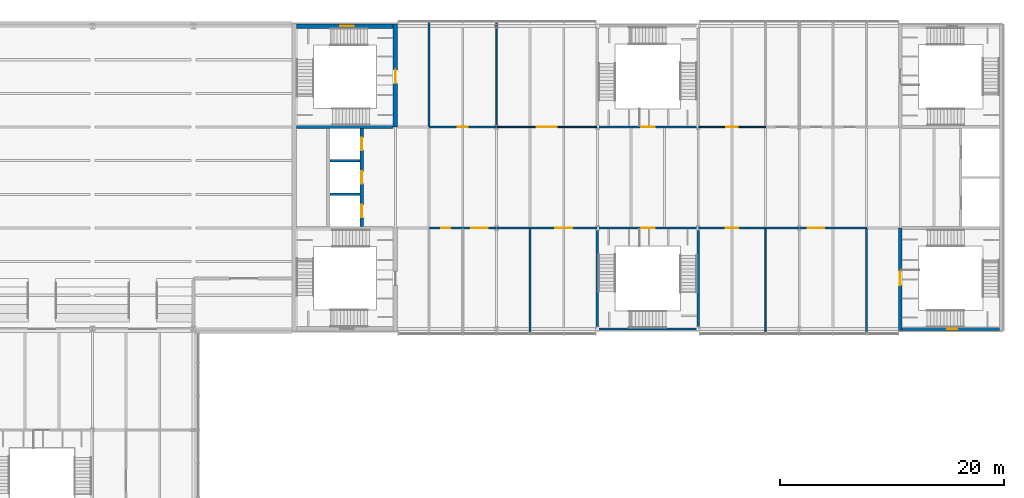
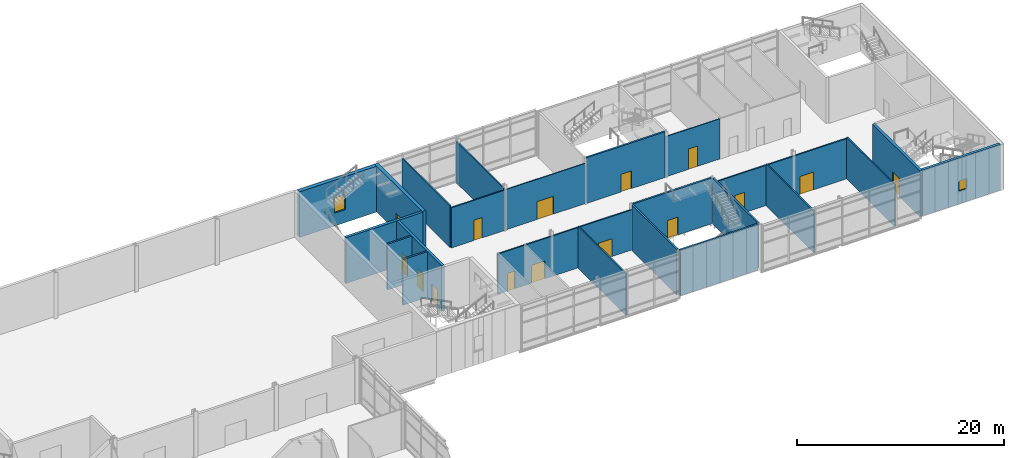
# One storey, part 38 of 52: 23 walls, 15 doors, 2 windows, 17 openings.
"""IFC4 building model written with IfcOpenShell, lengths in metres."""

from ifc_helpers import new_model, si_unit, direction, frame, frame_2d, origin, place, context, subcontext, project, spatial, rectangle, extrude, material, layer, layer_set, type_object, element, fill, save


model = new_model("IFC4")

# Units and contexts
model_context = context("Model", 3, precision=1e-05, world=origin(), true_north=direction((0.0, 1.0)))
body_context = subcontext(model_context, "Body", "Model", "MODEL_VIEW")
ifc_project = project(units=[si_unit("LENGTHUNIT", "METRE"), si_unit("AREAUNIT", "SQUARE_METRE"), si_unit("VOLUMEUNIT", "CUBIC_METRE"), si_unit("PLANEANGLEUNIT", "RADIAN"), si_unit("MASSUNIT", "GRAM", prefix="KILO")], contexts=[model_context])

# Site, building, storey
site_placement = place(None, origin())
site = spatial("IfcSite", under=ifc_project, at=site_placement, CompositionType="ELEMENT")
building_placement = place(site_placement, origin())
building = spatial("IfcBuilding", under=site, at=building_placement, Name="Azimuth Sports and Learning Centre", CompositionType="ELEMENT")
storey_placement = place(building_placement, frame((0.0, 0.0, 16.199951171875)))
storey = spatial("IfcBuildingStorey", under=building, at=storey_placement, Name="L03", CompositionType="ELEMENT", Elevation=16.199951171875)

# Walls
ifc_material_1 = material(Name="Dense masonry blockwork", Category="masonry")
ifc_layer_1 = layer(ifc_material_1, 0.199951171875)
ifc_layer_set_1 = layer_set([ifc_layer_1], Name="Dense masonry blockwork")
wall_type_1 = type_object("IfcWallType", Name="Blockwork wall 200 EI 120", PredefinedType="SOLIDWALL", material=ifc_layer_set_1)
for number, where, z_axis, x_axis, name in (
    (1, (111.14990234375, 102.0, 0.0), (0.0, 0.0, 1.0), (1.0, 0.0, 0.0), "SD-E-1-L03"),
    (2, (111.14990234375, 105.0, 0.0), (0.0, 0.0, 1.0), (1.0, 0.0, 0.0), "SD-E-2-L03"),
):
    element("IfcWall", number, at=place(storey_placement, frame(where, z_axis=z_axis, x_axis=x_axis)), inside=storey, type_object=wall_type_1, Name=name, PredefinedType="SOLIDWALL", context=body_context, shape_type="SweptSolid", body=[
        extrude(rectangle(XDim=2.7001953125, YDim=0.199951171875, at=frame_2d((1.35009765625, 0.0))), origin(), (0.0, 0.0, 1.0), 5.400146484375),
    ])

# Wall, opening, door
ifc_material_2 = material(Name="Gypsum board on steel studs", Category="steel")
ifc_layer_2 = layer(ifc_material_2, 0.10009765625)
ifc_layer_set_2 = layer_set([ifc_layer_2], Name="Gypsum board on steel studs")
wall_type_2 = type_object("IfcWallType", Name="Partition 100 EI 30", PredefinedType="PARTITIONING", material=ifc_layer_set_2)
wall_1_placement = place(storey_placement, frame((126.0, 108.0, 0.0), z_axis=(0.0, 0.0, 1.0), x_axis=(1.0, 0.0, 0.0)))
wall_1 = element("IfcWall", 3, at=wall_1_placement, inside=storey, type_object=wall_type_2, Name="Partition 100 EI 30", PredefinedType="PARTITIONING", context=body_context, shape_type="SweptSolid", body=[
    extrude(rectangle(XDim=9.0, YDim=0.10009765625, at=frame_2d((4.5, 0.0))), origin(), (0.0, 0.0, 1.0), 4.75),
])
opening_1_placement = place(wall_1_placement, frame((3.60009765625, 0.0, 0.0)))
opening_1 = element("IfcOpeningElement", 4, at=opening_1_placement, cuts=wall_1, Name="Opening D03-051", PredefinedType="OPENING", context=body_context, shape_type="SweptSolid", body=[
    extrude(rectangle(XDim=1.800048828125, YDim=2.10009765625, at=frame_2d((0.89990234375, 1.050048828125))), frame((0.0, 0.06103515625, 0.0), z_axis=(0.0, -1.0, 0.0), x_axis=(1.0, 0.0, 0.0)), (0.0, 0.0, 1.0), 0.1220703125),
])
ifc_material_3 = material(Name="Timber fire door set", Category="wood")
door_type_1 = type_object("IfcDoorType", Name="Timber door double 1800x2100 FD30S", OperationType="DOUBLE_DOOR_SINGLE_SWING", PredefinedType="DOOR", material=ifc_material_3)
door_1_placement = place(opening_1_placement, origin())
door_1 = element("IfcDoor", 5, at=door_1_placement, inside=storey, type_object=door_type_1, Name="Door D03-051", OperationType="DOUBLE_DOOR_SINGLE_SWING", OverallHeight=2.10009765625, OverallWidth=1.800048828125, PredefinedType="DOOR", context=body_context, shape_type="SweptSolid", body=[
    extrude(rectangle(XDim=1.800048828125, YDim=2.10009765625, at=frame_2d((0.89990234375, 1.050048828125))), frame((0.0, 0.02490234375, 0.0), z_axis=(0.0, -1.0, 0.0), x_axis=(1.0, 0.0, 0.0)), (0.0, 0.0, 1.0), 0.050048828125),
])
fill(opening_1, door_1)

wall_2_placement = place(storey_placement, frame((144.0, 108.0, 0.0), z_axis=(0.0, 0.0, 1.0), x_axis=(1.0, 0.0, 0.0)))
wall_2 = element("IfcWall", 6, at=wall_2_placement, inside=storey, type_object=wall_type_2, Name="Partition 100 EI 30", PredefinedType="PARTITIONING", context=body_context, shape_type="SweptSolid", body=[
    extrude(rectangle(XDim=6.0, YDim=0.10009765625, at=frame_2d((3.0, 0.0))), origin(), (0.0, 0.0, 1.0), 4.75),
])
opening_2_placement = place(wall_2_placement, frame((2.5, 0.0, 0.0)))
opening_2 = element("IfcOpeningElement", 7, at=opening_2_placement, cuts=wall_2, Name="Opening D03-050", PredefinedType="OPENING", context=body_context, shape_type="SweptSolid", body=[
    extrude(rectangle(XDim=1.0, YDim=2.39990234375, at=frame_2d((0.5, 1.199951171875))), frame((0.0, 0.06103515625, 0.0), z_axis=(0.0, -1.0, 0.0), x_axis=(1.0, 0.0, 0.0)), (0.0, 0.0, 1.0), 0.1220703125),
])
ifc_material_4 = material(Name="Timber fire door set", Category="wood")
door_type_2 = type_object("IfcDoorType", Name="Timber door single 1000x2400 FD30S", OperationType="NOTDEFINED", PredefinedType="DOOR", material=ifc_material_4)
door_2_placement = place(opening_2_placement, origin())
door_2 = element("IfcDoor", 8, at=door_2_placement, inside=storey, type_object=door_type_2, Name="Door D03-050", OperationType="SINGLE_SWING_LEFT", OverallHeight=2.39990234375, OverallWidth=1.0, PredefinedType="DOOR", context=body_context, shape_type="SweptSolid", body=[
    extrude(rectangle(XDim=1.0, YDim=2.39990234375, at=frame_2d((0.5, 1.199951171875))), frame((0.0, 0.02490234375, 0.0), z_axis=(0.0, -1.0, 0.0), x_axis=(1.0, 0.0, 0.0)), (0.0, 0.0, 1.0), 0.050048828125),
])
fill(opening_2, door_2)

# Wall, openings, doors
ifc_material_5 = material(Name="Lightweight blockwork, rendered", Category="masonry")
ifc_layer_3 = layer(ifc_material_5, 0.14990234375)
ifc_layer_set_3 = layer_set([ifc_layer_3], Name="Lightweight blockwork, rendered")
wall_type_3 = type_object("IfcWallType", Name="Partition 150 EI 60", PredefinedType="PARTITIONING", material=ifc_layer_set_3)
wall_3_placement = place(storey_placement, frame((120.0, 99.0, 0.0), z_axis=(0.0, 0.0, 1.0), x_axis=(1.0, 0.0, 0.0)))
wall_3 = element("IfcWall", 9, at=wall_3_placement, inside=storey, type_object=wall_type_3, Name="Partition 150 EI 60", PredefinedType="PARTITIONING", context=body_context, shape_type="SweptSolid", body=[
    extrude(rectangle(XDim=15.0, YDim=0.14990234375, at=frame_2d((7.5, 0.0))), origin(), (0.0, 0.0, 1.0), 4.75),
])
opening_3_placement = place(wall_3_placement, frame((11.25, 0.0, 0.0)))
opening_3 = element("IfcOpeningElement", 10, at=opening_3_placement, cuts=wall_3, Name="Opening D03-044", PredefinedType="OPENING", context=body_context, shape_type="SweptSolid", body=[
    extrude(rectangle(XDim=1.5, YDim=2.10009765625, at=frame_2d((0.75, 1.050048828125))), frame((0.0, 0.0859375, 0.0), z_axis=(0.0, -1.0, 0.0), x_axis=(1.0, 0.0, 0.0)), (0.0, 0.0, 1.0), 0.171875),
])
opening_4_placement = place(wall_3_placement, frame((3.75, 0.0, 0.0)))
opening_4 = element("IfcOpeningElement", 11, at=opening_4_placement, cuts=wall_3, Name="Opening D03-045", PredefinedType="OPENING", context=body_context, shape_type="SweptSolid", body=[
    extrude(rectangle(XDim=1.5, YDim=2.10009765625, at=frame_2d((0.75, 1.050048828125))), frame((0.0, 0.0859375, 0.0), z_axis=(0.0, -1.0, 0.0), x_axis=(1.0, 0.0, 0.0)), (0.0, 0.0, 1.0), 0.171875),
])
opening_5_placement = place(wall_3_placement, frame((1.10009765625, 0.0, 0.0)))
opening_5 = element("IfcOpeningElement", 12, at=opening_5_placement, cuts=wall_3, Name="Opening D03-046", PredefinedType="OPENING", context=body_context, shape_type="SweptSolid", body=[
    extrude(rectangle(XDim=0.800048828125, YDim=2.10009765625, at=frame_2d((0.39990234375, 1.050048828125))), frame((0.0, 0.0859375, 0.0), z_axis=(0.0, -1.0, 0.0), x_axis=(1.0, 0.0, 0.0)), (0.0, 0.0, 1.0), 0.171875),
])
ifc_material_6 = material(Name="Timber fire door set", Category="wood")
door_type_3 = type_object("IfcDoorType", Name="Timber door double 1500x2100 FD60", OperationType="DOUBLE_DOOR_SINGLE_SWING", PredefinedType="DOOR", material=ifc_material_6)
door_3_placement = place(opening_3_placement, frame((1.5, 0.0, 0.0), z_axis=(0.0, 0.0, 1.0), x_axis=(-1.0, 0.0, 0.0)))
door_3 = element("IfcDoor", 13, at=door_3_placement, inside=storey, type_object=door_type_3, Name="Door D03-044", OperationType="DOUBLE_DOOR_SINGLE_SWING", OverallHeight=2.10009765625, OverallWidth=1.5, PredefinedType="DOOR", context=body_context, shape_type="SweptSolid", body=[
    extrude(rectangle(XDim=1.5, YDim=2.10009765625, at=frame_2d((0.75, 1.050048828125))), frame((0.0, 0.02490234375, 0.0), z_axis=(0.0, -1.0, 0.0), x_axis=(1.0, 0.0, 0.0)), (0.0, 0.0, 1.0), 0.050048828125),
])
fill(opening_3, door_3)
door_4_placement = place(opening_4_placement, frame((1.5, 0.0, 0.0), z_axis=(0.0, 0.0, 1.0), x_axis=(-1.0, 0.0, 0.0)))
door_4 = element("IfcDoor", 14, at=door_4_placement, inside=storey, type_object=door_type_3, Name="Door D03-045", OperationType="DOUBLE_DOOR_SINGLE_SWING", OverallHeight=2.10009765625, OverallWidth=1.5, PredefinedType="DOOR", context=body_context, shape_type="SweptSolid", body=[
    extrude(rectangle(XDim=1.5, YDim=2.10009765625, at=frame_2d((0.75, 1.050048828125))), frame((0.0, 0.02490234375, 0.0), z_axis=(0.0, -1.0, 0.0), x_axis=(1.0, 0.0, 0.0)), (0.0, 0.0, 1.0), 0.050048828125),
])
fill(opening_4, door_4)
ifc_material_7 = material(Name="Timber fire door set", Category="wood")
door_type_4 = type_object("IfcDoorType", Name="Timber door single 800x2100 FD60", OperationType="NOTDEFINED", PredefinedType="DOOR", material=ifc_material_7)
door_5_placement = place(opening_5_placement, frame((0.800048828125, 0.0, 0.0), z_axis=(0.0, 0.0, 1.0), x_axis=(-1.0, 0.0, 0.0)))
door_5 = element("IfcDoor", 15, at=door_5_placement, inside=storey, type_object=door_type_4, Name="Door D03-046", OperationType="SINGLE_SWING_LEFT", OverallHeight=2.10009765625, OverallWidth=0.800048828125, PredefinedType="DOOR", context=body_context, shape_type="SweptSolid", body=[
    extrude(rectangle(XDim=0.800048828125, YDim=2.10009765625, at=frame_2d((0.39990234375, 1.050048828125))), frame((0.0, 0.02490234375, 0.0), z_axis=(0.0, -1.0, 0.0), x_axis=(1.0, 0.0, 0.0)), (0.0, 0.0, 1.0), 0.050048828125),
])
fill(opening_5, door_5)

wall_4_placement = place(storey_placement, frame((144.0, 99.0, 0.0), z_axis=(0.0, 0.0, 1.0), x_axis=(1.0, 0.0, 0.0)))
wall_4 = element("IfcWall", 16, at=wall_4_placement, inside=storey, type_object=wall_type_3, Name="Partition 150 EI 60", PredefinedType="PARTITIONING", context=body_context, shape_type="SweptSolid", body=[
    extrude(rectangle(XDim=15.0, YDim=0.14990234375, at=frame_2d((7.5, 0.0))), origin(), (0.0, 0.0, 1.0), 4.75),
])
opening_6_placement = place(wall_4_placement, frame((9.75, 0.0, 0.0)))
opening_6 = element("IfcOpeningElement", 17, at=opening_6_placement, cuts=wall_4, Name="Opening D03-042", PredefinedType="OPENING", context=body_context, shape_type="SweptSolid", body=[
    extrude(rectangle(XDim=1.5, YDim=2.10009765625, at=frame_2d((0.75, 1.050048828125))), frame((0.0, 0.0859375, 0.0), z_axis=(0.0, -1.0, 0.0), x_axis=(1.0, 0.0, 0.0)), (0.0, 0.0, 1.0), 0.171875),
])
opening_7_placement = place(wall_4_placement, frame((2.449951171875, 0.0, 0.0)))
opening_7 = element("IfcOpeningElement", 18, at=opening_7_placement, cuts=wall_4, Name="Opening D03-043", PredefinedType="OPENING", context=body_context, shape_type="SweptSolid", body=[
    extrude(rectangle(XDim=1.10009765625, YDim=2.39990234375, at=frame_2d((0.550048828125, 1.199951171875))), frame((0.0, 0.0859375, 0.0), z_axis=(0.0, -1.0, 0.0), x_axis=(1.0, 0.0, 0.0)), (0.0, 0.0, 1.0), 0.171875),
])
door_6_placement = place(opening_6_placement, frame((1.5, 0.0, 0.0), z_axis=(0.0, 0.0, 1.0), x_axis=(-1.0, 0.0, 0.0)))
door_6 = element("IfcDoor", 19, at=door_6_placement, inside=storey, type_object=door_type_3, Name="Door D03-042", OperationType="DOUBLE_DOOR_SINGLE_SWING", OverallHeight=2.10009765625, OverallWidth=1.5, PredefinedType="DOOR", context=body_context, shape_type="SweptSolid", body=[
    extrude(rectangle(XDim=1.5, YDim=2.10009765625, at=frame_2d((0.75, 1.050048828125))), frame((0.0, 0.02490234375, 0.0), z_axis=(0.0, -1.0, 0.0), x_axis=(1.0, 0.0, 0.0)), (0.0, 0.0, 1.0), 0.050048828125),
])
fill(opening_6, door_6)
ifc_material_8 = material(Name="Timber fire door set", Category="wood")
door_type_5 = type_object("IfcDoorType", Name="Timber door single 1100x2400 FD60", OperationType="NOTDEFINED", PredefinedType="DOOR", material=ifc_material_8)
door_7_placement = place(opening_7_placement, frame((1.10009765625, 0.0, 0.0), z_axis=(0.0, 0.0, 1.0), x_axis=(-1.0, 0.0, 0.0)))
door_7 = element("IfcDoor", 20, at=door_7_placement, inside=storey, type_object=door_type_5, Name="Door D03-043", OperationType="SINGLE_SWING_LEFT", OverallHeight=2.39990234375, OverallWidth=1.10009765625, PredefinedType="DOOR", context=body_context, shape_type="SweptSolid", body=[
    extrude(rectangle(XDim=1.10009765625, YDim=2.39990234375, at=frame_2d((0.550048828125, 1.199951171875))), frame((0.0, 0.02490234375, 0.0), z_axis=(0.0, -1.0, 0.0), x_axis=(1.0, 0.0, 0.0)), (0.0, 0.0, 1.0), 0.050048828125),
])
fill(opening_7, door_7)

# Wall, opening, door
wall_5_placement = place(storey_placement, frame((120.0, 108.0, 0.0), z_axis=(0.0, 0.0, 1.0), x_axis=(1.0, 0.0, 0.0)))
wall_5 = element("IfcWall", 21, at=wall_5_placement, inside=storey, type_object=wall_type_3, Name="Partition 150 EI 60", PredefinedType="PARTITIONING", context=body_context, shape_type="SweptSolid", body=[
    extrude(rectangle(XDim=6.0, YDim=0.14990234375, at=frame_2d((3.0, 0.0))), origin(), (0.0, 0.0, 1.0), 4.75),
])
opening_8_placement = place(wall_5_placement, frame((2.550048828125, 0.0, 0.0)))
opening_8 = element("IfcOpeningElement", 22, at=opening_8_placement, cuts=wall_5, Name="Opening D03-052", PredefinedType="OPENING", context=body_context, shape_type="SweptSolid", body=[
    extrude(rectangle(XDim=0.89990234375, YDim=2.39990234375, at=frame_2d((0.449951171875, 1.199951171875))), frame((0.0, 0.0859375, 0.0), z_axis=(0.0, -1.0, 0.0), x_axis=(1.0, 0.0, 0.0)), (0.0, 0.0, 1.0), 0.171875),
])
ifc_material_9 = material(Name="Timber fire door set", Category="wood")
door_type_6 = type_object("IfcDoorType", Name="Timber door single 900x2400 FD60", OperationType="NOTDEFINED", PredefinedType="DOOR", material=ifc_material_9)
door_8_placement = place(opening_8_placement, origin())
door_8 = element("IfcDoor", 23, at=door_8_placement, inside=storey, type_object=door_type_6, Name="Door D03-052", OperationType="SINGLE_SWING_LEFT", OverallHeight=2.39990234375, OverallWidth=0.89990234375, PredefinedType="DOOR", context=body_context, shape_type="SweptSolid", body=[
    extrude(rectangle(XDim=0.89990234375, YDim=2.39990234375, at=frame_2d((0.449951171875, 1.199951171875))), frame((0.0, 0.02490234375, 0.0), z_axis=(0.0, -1.0, 0.0), x_axis=(1.0, 0.0, 0.0)), (0.0, 0.0, 1.0), 0.050048828125),
])
fill(opening_8, door_8)

# Walls
wall_6_placement = place(storey_placement, frame((120.0, 108.074951171875, 0.0), z_axis=(0.0, 0.0, 1.0), x_axis=(0.0, 1.0, 0.0)))
element("IfcWall", 24, at=wall_6_placement, inside=storey, type_object=wall_type_3, Name="Partition 150 EI 60", PredefinedType="PARTITIONING", context=body_context, shape_type="SweptSolid", body=[
    extrude(rectangle(XDim=9.22509765625, YDim=0.14990234375, at=frame_2d((4.612548828125, 0.0))), origin(), (0.0, 0.0, 1.0), 4.920166015625),
])
wall_7_placement = place(storey_placement, frame((126.0, 108.074951171875, 0.0), z_axis=(0.0, 0.0, 1.0), x_axis=(0.0, 1.0, 0.0)))
element("IfcWall", 25, at=wall_7_placement, inside=storey, type_object=wall_type_3, Name="Partition 150 EI 60", PredefinedType="PARTITIONING", context=body_context, shape_type="SweptSolid", body=[
    extrude(rectangle(XDim=9.22509765625, YDim=0.14990234375, at=frame_2d((4.612548828125, 0.0))), origin(), (0.0, 0.0, 1.0), 4.89013671875),
])
for number, where, z_axis, x_axis, name in (
    (26, (129.0, 89.699951171875, 0.0), (0.0, 0.0, 1.0), (0.0, 1.0, 0.0), "Partition 150 EI 60"),
    (27, (150.0, 89.699951171875, 0.0), (0.0, 0.0, 1.0), (0.0, 1.0, 0.0), "Partition 150 EI 60"),
    (28, (159.0, 89.699951171875, 0.0), (0.0, 0.0, 1.0), (0.0, 1.0, 0.0), "Partition 150 EI 60"),
):
    element("IfcWall", number, at=place(storey_placement, frame(where, z_axis=z_axis, x_axis=x_axis)), inside=storey, type_object=wall_type_3, Name=name, PredefinedType="PARTITIONING", context=body_context, shape_type="SweptSolid", body=[
        extrude(rectangle(XDim=9.22509765625, YDim=0.14990234375, at=frame_2d((4.612548828125, 0.0))), origin(), (0.0, 0.0, 1.0), 4.920166015625),
    ])

# Wall, opening, door
ifc_material_10 = material(Name="Concrete C40/50", Category="concrete")
ifc_layer_4 = layer(ifc_material_10, 0.199951171875)
ifc_layer_set_4 = layer_set([ifc_layer_4], Name="Concrete C40/50")
wall_type_4 = type_object("IfcWallType", Name="RC cell wall 200 EI 120", PredefinedType="SHEAR", material=ifc_layer_set_4)
wall_8_placement = place(storey_placement, frame((135.14990234375, 99.0, 0.0), z_axis=(0.0, 0.0, 1.0), x_axis=(1.0, 0.0, 0.0)))
wall_8 = element("IfcWall", 29, at=wall_8_placement, inside=storey, type_object=wall_type_4, Name="CE-EM1-N-L03", PredefinedType="SHEAR", context=body_context, shape_type="SweptSolid", body=[
    extrude(rectangle(XDim=8.7001953125, YDim=0.199951171875, at=frame_2d((4.35009765625, 0.0))), origin(), (0.0, 0.0, 1.0), 5.400146484375),
])
opening_9_placement = place(wall_8_placement, frame((3.75, 0.0, 0.0)))
opening_9 = element("IfcOpeningElement", 30, at=opening_9_placement, cuts=wall_8, Name="Opening D03-011", PredefinedType="OPENING", context=body_context, shape_type="SweptSolid", body=[
    extrude(rectangle(XDim=1.199951171875, YDim=2.10009765625, at=frame_2d((0.60009765625, 1.050048828125))), frame((0.0, 0.11083984375, 0.0), z_axis=(0.0, -1.0, 0.0), x_axis=(1.0, 0.0, 0.0)), (0.0, 0.0, 1.0), 0.221923828125),
])
ifc_material_11 = material(Name="Steel", Category="steel")
door_type_7 = type_object("IfcDoorType", Name="Stair fire door 1200 x 2100", OperationType="NOTDEFINED", PredefinedType="DOOR", material=ifc_material_11)
door_9_placement = place(opening_9_placement, origin())
door_9 = element("IfcDoor", 31, at=door_9_placement, inside=storey, type_object=door_type_7, Name="Stair door EM1 L03", OperationType="SINGLE_SWING_RIGHT", OverallHeight=2.10009765625, OverallWidth=1.199951171875, PredefinedType="DOOR", context=body_context, shape_type="SweptSolid", body=[
    extrude(rectangle(XDim=1.199951171875, YDim=2.10009765625, at=frame_2d((0.60009765625, 1.050048828125))), frame((0.0, 0.02490234375, 0.0), z_axis=(0.0, -1.0, 0.0), x_axis=(1.0, 0.0, 0.0)), (0.0, 0.0, 1.0), 0.050048828125),
])
fill(opening_9, door_9)

# Walls
for number, where, z_axis, x_axis, name in (
    (32, (135.0, 90.179931640625, 0.0), (0.0, 0.0, 1.0), (0.0, 1.0, 0.0), "CE-EM1-W-L03"),
    (33, (144.0, 90.179931640625, 0.0), (0.0, 0.0, 1.0), (0.0, 1.0, 0.0), "CE-EM1-E-L03"),
):
    element("IfcWall", number, at=place(storey_placement, frame(where, z_axis=z_axis, x_axis=x_axis)), inside=storey, type_object=wall_type_4, Name=name, PredefinedType="SHEAR", context=body_context, shape_type="SweptSolid", body=[
        extrude(rectangle(XDim=8.64013671875, YDim=0.199951171875, at=frame_2d((4.320068359375, 0.0))), origin(), (0.0, 0.0, 1.0), 5.400146484375),
    ])

# Wall, opening, door
wall_9_placement = place(storey_placement, frame((135.14990234375, 108.0, 0.0), z_axis=(0.0, 0.0, 1.0), x_axis=(1.0, 0.0, 0.0)))
wall_9 = element("IfcWall", 34, at=wall_9_placement, inside=storey, type_object=wall_type_4, Name="CE-EM2-S-L03", PredefinedType="SHEAR", context=body_context, shape_type="SweptSolid", body=[
    extrude(rectangle(XDim=8.7001953125, YDim=0.199951171875, at=frame_2d((4.35009765625, 0.0))), origin(), (0.0, 0.0, 1.0), 5.400146484375),
])
opening_10_placement = place(wall_9_placement, frame((3.75, 0.0, 0.0)))
opening_10 = element("IfcOpeningElement", 35, at=opening_10_placement, cuts=wall_9, Name="Opening D03-012", PredefinedType="OPENING", context=body_context, shape_type="SweptSolid", body=[
    extrude(rectangle(XDim=1.199951171875, YDim=2.10009765625, at=frame_2d((0.60009765625, 1.050048828125))), frame((0.0, 0.11083984375, 0.0), z_axis=(0.0, -1.0, 0.0), x_axis=(1.0, 0.0, 0.0)), (0.0, 0.0, 1.0), 0.221923828125),
])
door_10_placement = place(opening_10_placement, frame((1.199951171875, 0.0, 0.0), z_axis=(0.0, 0.0, 1.0), x_axis=(-1.0, 0.0, 0.0)))
door_10 = element("IfcDoor", 36, at=door_10_placement, inside=storey, type_object=door_type_7, Name="Stair door EM2 L03", OperationType="SINGLE_SWING_LEFT", OverallHeight=2.10009765625, OverallWidth=1.199951171875, PredefinedType="DOOR", context=body_context, shape_type="SweptSolid", body=[
    extrude(rectangle(XDim=1.199951171875, YDim=2.10009765625, at=frame_2d((0.60009765625, 1.050048828125))), frame((0.0, 0.02490234375, 0.0), z_axis=(0.0, -1.0, 0.0), x_axis=(1.0, 0.0, 0.0)), (0.0, 0.0, 1.0), 0.050048828125),
])
fill(opening_10, door_10)

# Wall
ifc_material_12 = material(Name="Concrete C40/50", Category="concrete")
ifc_layer_5 = layer(ifc_material_12, 0.300048828125)
ifc_layer_set_5 = layer_set([ifc_layer_5], Name="Concrete C40/50")
wall_type_5 = type_object("IfcWallType", Name="RC core wall 300", PredefinedType="SHEAR", material=ifc_layer_set_5)
wall_10_placement = place(storey_placement, frame((108.199951171875, 108.0, 0.0), z_axis=(0.0, 0.0, 1.0), x_axis=(1.0, 0.0, 0.0)))
element("IfcWall", 37, at=wall_10_placement, inside=storey, type_object=wall_type_5, Name="Core wall E D2 L03", PredefinedType="SHEAR", context=body_context, shape_type="SweptSolid", body=[
    extrude(rectangle(XDim=8.60009765625, YDim=0.300048828125, at=frame_2d((4.300048828125, 0.0))), origin(), (0.0, 0.0, 1.0), 5.400146484375),
])

# Wall, openings, doors
wall_11_placement = place(storey_placement, frame((114.0, 99.14990234375, 0.0), z_axis=(0.0, 0.0, 1.0), x_axis=(0.0, 1.0, 0.0)))
wall_11 = element("IfcWall", 38, at=wall_11_placement, inside=storey, type_object=wall_type_5, Name="Core wall E LB2 L03", PredefinedType="SHEAR", context=body_context, shape_type="SweptSolid", body=[
    extrude(rectangle(XDim=8.7001953125, YDim=0.300048828125, at=frame_2d((4.35009765625, 0.0))), origin(), (0.0, 0.0, 1.0), 5.400146484375),
])
opening_11_placement = place(wall_11_placement, frame((0.800048828125, 0.0, 0.0)))
opening_11 = element("IfcOpeningElement", 39, at=opening_11_placement, cuts=wall_11, Name="Opening D03-022", PredefinedType="OPENING", context=body_context, shape_type="SweptSolid", body=[
    extrude(rectangle(XDim=1.10009765625, YDim=2.10009765625, at=frame_2d((0.550048828125, 1.050048828125))), frame((0.0, 0.1611328125, 0.0), z_axis=(0.0, -1.0, 0.0), x_axis=(1.0, 0.0, 0.0)), (0.0, 0.0, 1.0), 0.322021484375),
])
opening_12_placement = place(wall_11_placement, frame((3.800048828125, 0.0, 0.0)))
opening_12 = element("IfcOpeningElement", 40, at=opening_12_placement, cuts=wall_11, Name="Opening D03-023", PredefinedType="OPENING", context=body_context, shape_type="SweptSolid", body=[
    extrude(rectangle(XDim=1.10009765625, YDim=2.10009765625, at=frame_2d((0.550048828125, 1.050048828125))), frame((0.0, 0.1611328125, 0.0), z_axis=(0.0, -1.0, 0.0), x_axis=(1.0, 0.0, 0.0)), (0.0, 0.0, 1.0), 0.322021484375),
])
opening_13_placement = place(wall_11_placement, frame((6.800048828125, 0.0, 0.0)))
opening_13 = element("IfcOpeningElement", 41, at=opening_13_placement, cuts=wall_11, Name="Opening D03-024", PredefinedType="OPENING", context=body_context, shape_type="SweptSolid", body=[
    extrude(rectangle(XDim=1.10009765625, YDim=2.10009765625, at=frame_2d((0.550048828125, 1.050048828125))), frame((0.0, 0.1611328125, 0.0), z_axis=(0.0, -1.0, 0.0), x_axis=(1.0, 0.0, 0.0)), (0.0, 0.0, 1.0), 0.322021484375),
])
ifc_material_13 = material(Name="Stainless steel", Category="steel")
door_type_8 = type_object("IfcDoorType", Name="Lift landing door 1100 x 2100", OperationType="DOUBLE_DOOR_SLIDING", PredefinedType="DOOR", material=ifc_material_13)
door_11_placement = place(opening_11_placement, origin())
door_11 = element("IfcDoor", 42, at=door_11_placement, inside=storey, type_object=door_type_8, Name="Landing door LE1 L03", OperationType="DOUBLE_DOOR_SLIDING", OverallHeight=2.10009765625, OverallWidth=1.10009765625, PredefinedType="DOOR", context=body_context, shape_type="SweptSolid", body=[
    extrude(rectangle(XDim=1.10009765625, YDim=2.10009765625, at=frame_2d((0.550048828125, 1.050048828125))), frame((0.0, 0.02490234375, 0.0), z_axis=(0.0, -1.0, 0.0), x_axis=(1.0, 0.0, 0.0)), (0.0, 0.0, 1.0), 0.050048828125),
])
fill(opening_11, door_11)
door_12_placement = place(opening_12_placement, origin())
door_12 = element("IfcDoor", 43, at=door_12_placement, inside=storey, type_object=door_type_8, Name="Landing door LE2 L03", OperationType="DOUBLE_DOOR_SLIDING", OverallHeight=2.10009765625, OverallWidth=1.10009765625, PredefinedType="DOOR", context=body_context, shape_type="SweptSolid", body=[
    extrude(rectangle(XDim=1.10009765625, YDim=2.10009765625, at=frame_2d((0.550048828125, 1.050048828125))), frame((0.0, 0.02490234375, 0.0), z_axis=(0.0, -1.0, 0.0), x_axis=(1.0, 0.0, 0.0)), (0.0, 0.0, 1.0), 0.050048828125),
])
fill(opening_12, door_12)
door_13_placement = place(opening_13_placement, origin())
door_13 = element("IfcDoor", 44, at=door_13_placement, inside=storey, type_object=door_type_8, Name="Landing door LE3 L03", OperationType="DOUBLE_DOOR_SLIDING", OverallHeight=2.10009765625, OverallWidth=1.10009765625, PredefinedType="DOOR", context=body_context, shape_type="SweptSolid", body=[
    extrude(rectangle(XDim=1.10009765625, YDim=2.10009765625, at=frame_2d((0.550048828125, 1.050048828125))), frame((0.0, 0.02490234375, 0.0), z_axis=(0.0, -1.0, 0.0), x_axis=(1.0, 0.0, 0.0)), (0.0, 0.0, 1.0), 0.050048828125),
])
fill(opening_13, door_13)

# Wall, opening, door
wall_12_placement = place(storey_placement, frame((162.0, 89.85009765625, 0.0), z_axis=(0.0, 0.0, 1.0), x_axis=(0.0, 1.0, 0.0)))
wall_12 = element("IfcWall", 45, at=wall_12_placement, inside=storey, type_object=wall_type_5, Name="Core wall EW WS L03", PredefinedType="SHEAR", context=body_context, shape_type="SweptSolid", body=[
    extrude(rectangle(XDim=9.14990234375, YDim=0.300048828125, at=frame_2d((4.574951171875, 0.0))), origin(), (0.0, 0.0, 1.0), 5.400146484375),
])
opening_14_placement = place(wall_12_placement, frame((4.050048828125, 0.0, 0.0)))
opening_14 = element("IfcOpeningElement", 46, at=opening_14_placement, cuts=wall_12, Name="Opening D03-007", PredefinedType="OPENING", context=body_context, shape_type="SweptSolid", body=[
    extrude(rectangle(XDim=1.199951171875, YDim=2.10009765625, at=frame_2d((0.60009765625, 1.050048828125))), frame((0.0, 0.1611328125, 0.0), z_axis=(0.0, -1.0, 0.0), x_axis=(1.0, 0.0, 0.0)), (0.0, 0.0, 1.0), 0.322021484375),
])
door_14_placement = place(opening_14_placement, origin())
door_14 = element("IfcDoor", 47, at=door_14_placement, inside=storey, type_object=door_type_7, Name="Stair door EW1 L03", OperationType="SINGLE_SWING_RIGHT", OverallHeight=2.10009765625, OverallWidth=1.199951171875, PredefinedType="DOOR", context=body_context, shape_type="SweptSolid", body=[
    extrude(rectangle(XDim=1.199951171875, YDim=2.10009765625, at=frame_2d((0.60009765625, 1.050048828125))), frame((0.0, 0.02490234375, 0.0), z_axis=(0.0, -1.0, 0.0), x_axis=(1.0, 0.0, 0.0)), (0.0, 0.0, 1.0), 0.050048828125),
])
fill(opening_14, door_14)

ifc_material_14 = material(Name="Concrete C40/50", Category="concrete")
ifc_layer_6 = layer(ifc_material_14, 0.39990234375)
ifc_layer_set_6 = layer_set([ifc_layer_6], Name="Concrete C40/50")
wall_type_6 = type_object("IfcWallType", Name="RC core wall 400", PredefinedType="SHEAR", material=ifc_layer_set_6)
wall_13_placement = place(storey_placement, frame((117.0, 108.0, 0.0), z_axis=(0.0, 0.0, 1.0), x_axis=(0.0, 1.0, 0.0)))
wall_13 = element("IfcWall", 48, at=wall_13_placement, inside=storey, type_object=wall_type_6, Name="Core wall E EN L03", PredefinedType="SHEAR", context=body_context, shape_type="SweptSolid", body=[
    extrude(rectangle(XDim=9.199951171875, YDim=0.39990234375, at=frame_2d((4.60009765625, 0.0))), origin(), (0.0, 0.0, 1.0), 5.400146484375),
])
opening_15_placement = place(wall_13_placement, frame((3.89990234375, 0.0, 0.0)))
opening_15 = element("IfcOpeningElement", 49, at=opening_15_placement, cuts=wall_13, Name="Opening D03-004", PredefinedType="OPENING", context=body_context, shape_type="SweptSolid", body=[
    extrude(rectangle(XDim=1.199951171875, YDim=2.10009765625, at=frame_2d((0.60009765625, 1.050048828125))), frame((0.0, 0.2109375, 0.0), z_axis=(0.0, -1.0, 0.0), x_axis=(1.0, 0.0, 0.0)), (0.0, 0.0, 1.0), 0.421875),
])
door_15_placement = place(opening_15_placement, frame((1.199951171875, 0.0, 0.0), z_axis=(0.0, 0.0, 1.0), x_axis=(-1.0, 0.0, 0.0)))
door_15 = element("IfcDoor", 50, at=door_15_placement, inside=storey, type_object=door_type_7, Name="Stair door E2 L03", OperationType="SINGLE_SWING_RIGHT", OverallHeight=2.10009765625, OverallWidth=1.199951171875, PredefinedType="DOOR", context=body_context, shape_type="SweptSolid", body=[
    extrude(rectangle(XDim=1.199951171875, YDim=2.10009765625, at=frame_2d((0.60009765625, 1.050048828125))), frame((0.0, 0.02490234375, 0.0), z_axis=(0.0, -1.0, 0.0), x_axis=(1.0, 0.0, 0.0)), (0.0, 0.0, 1.0), 0.050048828125),
])
fill(opening_15, door_15)

# Wall
ifc_material_15 = material(Name="Concrete C40/50", Category="concrete")
ifc_layer_7 = layer(ifc_material_15, 0.199951171875)
ifc_layer_set_7 = layer_set([ifc_layer_7], Name="Concrete C40/50")
wall_type_7 = type_object("IfcWallType", Name="RC external cell wall 200 EI 120", PredefinedType="SHEAR", material=ifc_layer_set_7)
wall_14_placement = place(storey_placement, frame((135.14990234375, 90.0, 0.0), z_axis=(0.0, 0.0, 1.0), x_axis=(1.0, 0.0, 0.0)))
element("IfcWall", 51, at=wall_14_placement, inside=storey, type_object=wall_type_7, Name="CE-EM1-S-L03", PredefinedType="SHEAR", context=body_context, shape_type="SweptSolid", body=[
    extrude(rectangle(XDim=8.7001953125, YDim=0.199951171875, at=frame_2d((4.35009765625, 0.0))), origin(), (0.0, 0.0, 1.0), 5.400146484375),
])

# Wall, opening, window
ifc_material_16 = material(Name="Concrete C40/50", Category="concrete")
ifc_layer_8 = layer(ifc_material_16, 0.300048828125)
ifc_layer_set_8 = layer_set([ifc_layer_8], Name="Concrete C40/50")
wall_type_8 = type_object("IfcWallType", Name="RC external core wall 300", PredefinedType="SHEAR", material=ifc_layer_set_8)
wall_15_placement = place(storey_placement, frame((162.14990234375, 90.0, 0.0), z_axis=(0.0, 0.0, 1.0), x_axis=(1.0, 0.0, 0.0)))
wall_15 = element("IfcWall", 52, at=wall_15_placement, inside=storey, type_object=wall_type_8, Name="Core wall EW S L03", PredefinedType="SHEAR", context=body_context, shape_type="SweptSolid", body=[
    extrude(rectangle(XDim=8.7001953125, YDim=0.300048828125, at=frame_2d((4.35009765625, 0.0))), origin(), (0.0, 0.0, 1.0), 5.400146484375),
])
opening_16_placement = place(wall_15_placement, frame((4.050048828125, 0.0, 1.5)))
opening_16 = element("IfcOpeningElement", 53, at=opening_16_placement, cuts=wall_15, Name="Opening W03-004", PredefinedType="OPENING", context=body_context, shape_type="SweptSolid", body=[
    extrude(rectangle(XDim=0.89990234375, YDim=1.199951171875, at=frame_2d((0.449951171875, 0.60009765625))), frame((0.0, 0.1611328125, 0.0), z_axis=(0.0, -1.0, 0.0), x_axis=(1.0, 0.0, 0.0)), (0.0, 0.0, 1.0), 0.322021484375),
])
ifc_material_17 = material(Name="Aluminium and glass", Category="aluminium")
window_type_1 = type_object("IfcWindowType", Name="Stair window end core 900x1200", PartitioningType="SINGLE_PANEL", PredefinedType="WINDOW", material=ifc_material_17)
window_1_placement = place(opening_16_placement, origin())
window_1 = element("IfcWindow", 54, at=window_1_placement, inside=storey, type_object=window_type_1, Name="Window W03-004", OverallHeight=1.199951171875, OverallWidth=0.89990234375, PartitioningType="SINGLE_PANEL", PredefinedType="WINDOW", context=body_context, shape_type="SweptSolid", body=[
    extrude(rectangle(XDim=0.89990234375, YDim=1.199951171875, at=frame_2d((0.449951171875, 0.60009765625))), frame((0.0, 0.030029296875, 0.0), z_axis=(0.0, -1.0, 0.0), x_axis=(1.0, 0.0, 0.0)), (0.0, 0.0, 1.0), 0.06005859375),
])
fill(opening_16, window_1)

ifc_material_18 = material(Name="Concrete C40/50", Category="concrete")
ifc_layer_9 = layer(ifc_material_18, 0.39990234375)
ifc_layer_set_9 = layer_set([ifc_layer_9], Name="Concrete C40/50")
wall_type_9 = type_object("IfcWallType", Name="RC external core wall 400", PredefinedType="SHEAR", material=ifc_layer_set_9)
wall_16_placement = place(storey_placement, frame((108.199951171875, 117.0, 0.0), z_axis=(0.0, 0.0, 1.0), x_axis=(1.0, 0.0, 0.0)))
wall_16 = element("IfcWall", 55, at=wall_16_placement, inside=storey, type_object=wall_type_9, Name="Core wall E N L03", PredefinedType="SHEAR", context=body_context, shape_type="SweptSolid", body=[
    extrude(rectangle(XDim=8.60009765625, YDim=0.39990234375, at=frame_2d((4.300048828125, 0.0))), origin(), (0.0, 0.0, 1.0), 5.400146484375),
])
opening_17_placement = place(wall_16_placement, frame((3.89990234375, 0.0, 1.5)))
opening_17 = element("IfcOpeningElement", 56, at=opening_17_placement, cuts=wall_16, Name="Opening W03-006", PredefinedType="OPENING", context=body_context, shape_type="SweptSolid", body=[
    extrude(rectangle(XDim=1.199951171875, YDim=1.800048828125, at=frame_2d((0.60009765625, 0.89990234375))), frame((0.0, 0.2109375, 0.0), z_axis=(0.0, -1.0, 0.0), x_axis=(1.0, 0.0, 0.0)), (0.0, 0.0, 1.0), 0.421875),
])
ifc_material_19 = material(Name="Aluminium and glass", Category="aluminium")
window_type_2 = type_object("IfcWindowType", Name="Stair window podium core 1200x1800", PartitioningType="SINGLE_PANEL", PredefinedType="WINDOW", material=ifc_material_19)
window_2_placement = place(opening_17_placement, origin())
window_2 = element("IfcWindow", 57, at=window_2_placement, inside=storey, type_object=window_type_2, Name="Window W03-006", OverallHeight=1.800048828125, OverallWidth=1.199951171875, PartitioningType="SINGLE_PANEL", PredefinedType="WINDOW", context=body_context, shape_type="SweptSolid", body=[
    extrude(rectangle(XDim=1.199951171875, YDim=1.800048828125, at=frame_2d((0.60009765625, 0.89990234375))), frame((0.0, 0.030029296875, 0.0), z_axis=(0.0, -1.0, 0.0), x_axis=(1.0, 0.0, 0.0)), (0.0, 0.0, 1.0), 0.06005859375),
])
fill(opening_17, window_2)

save(model, "model.ifc")
